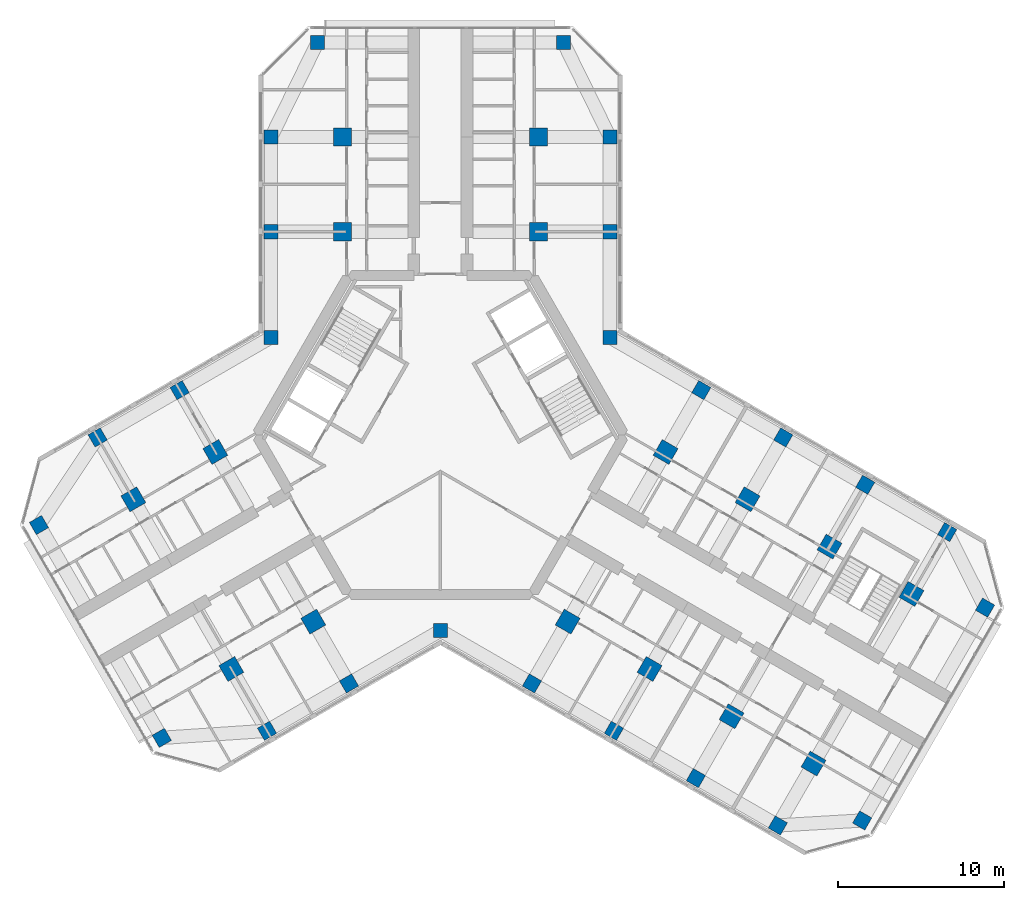
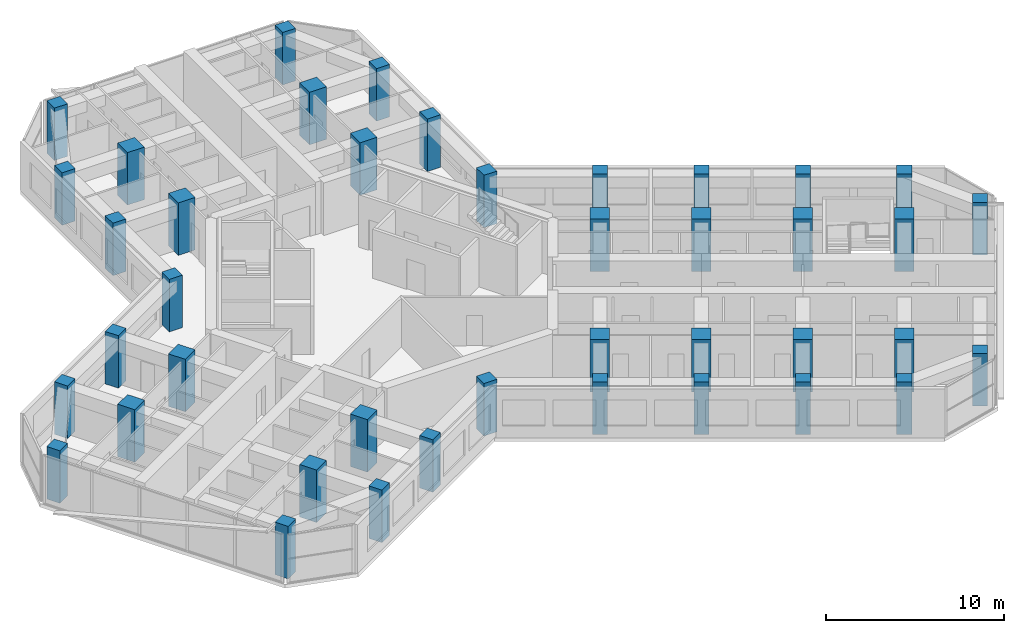
# One storey, part 1 of 16: 41 columns.
"""IFC4 building model written with IfcOpenShell, lengths in metres."""

import ifcopenshell
import ifcopenshell.guid

model = None  # the IFC model being written
_history = None  # IfcOwnerHistory: only IFC2X3 demands one
_inside = {}  # id of a spatial element -> (the spatial element, [elements in it])
_under = {}  # id of a project, library or spatial element -> (it, [spatial elements below it])
_declared = {}  # id of a project -> (the project, [libraries it declares])
_typed = {}  # id of a type object -> (the type object, [elements of that type])
_made_of = {}  # id of a material, layer set ... -> (it, [elements and type objects made of it])


def new_model(schema):
    """Start an empty IFC model of exactly this schema.

    Asked for "IFC4X3", IfcOpenShell would pick the latest addendum, in which some entities
    have other attributes; the version numbers below select the first issue.
    IFC2X3 requires an IfcOwnerHistory on every rooted entity: one is made here for all.
    """
    global model, _history
    if schema == "IFC4X3":
        model = ifcopenshell.file(schema_version=(4, 3, 0, 0))
    else:
        model = ifcopenshell.file(schema=schema)
    _inside.clear()
    _under.clear()
    _declared.clear()
    _typed.clear()
    _made_of.clear()
    _history = None
    if model.schema == "IFC2X3":
        org = make("IfcOrganization", Name="unknown")
        user = make(
            "IfcPersonAndOrganization",
            ThePerson=make("IfcPerson", FamilyName="unknown"),
            TheOrganization=org,
        )
        app = make(
            "IfcApplication",
            ApplicationDeveloper=org,
            Version="unknown",
            ApplicationFullName="unknown",
            ApplicationIdentifier="unknown",
        )
        _history = make(
            "IfcOwnerHistory",
            OwningUser=user,
            OwningApplication=app,
            ChangeAction="ADDED",
            CreationDate=0,
        )
    return model


def make(cls, **values):
    """One entity of the class cls with the attributes given. An attribute that is None is left unset."""
    return model.create_entity(
        cls, **{name: value for name, value in values.items() if value is not None}
    )


def rooted(cls, **values):
    """An entity with a GlobalId (a new one), such as an element, a storey or a relation."""
    return make(cls, GlobalId=ifcopenshell.guid.new(), OwnerHistory=_history, **values)


def si_unit(unit_type, name, prefix=None):
    """IfcSIUnit, for example si_unit("LENGTHUNIT", "METRE", prefix="MILLI")."""
    return make("IfcSIUnit", UnitType=unit_type, Prefix=prefix, Name=name)


def assignment(units):
    """IfcUnitAssignment: the units of a project."""
    return None if units is None else make("IfcUnitAssignment", Units=units)


def point(xyz):
    """IfcCartesianPoint."""
    return None if xyz is None else make("IfcCartesianPoint", Coordinates=xyz)


def direction(xyz):
    """IfcDirection."""
    return None if xyz is None else make("IfcDirection", DirectionRatios=xyz)


def frame(location, z_axis=None, x_axis=None):
    """IfcAxis2Placement3D, a coordinate frame: its origin and axes. An axis left out is left unset."""
    return make(
        "IfcAxis2Placement3D",
        Location=point(location),
        Axis=direction(z_axis),
        RefDirection=direction(x_axis),
    )


def frame_2d(location, x_axis=None):
    """IfcAxis2Placement2D, a coordinate frame in the plane: its origin and x axis."""
    return make(
        "IfcAxis2Placement2D", Location=point(location), RefDirection=direction(x_axis)
    )


def origin():
    """The frame at (0, 0, 0) with its axes left unset."""
    return frame((0.0, 0.0, 0.0))


def origin_2d():
    """The frame at (0, 0) in the plane with its x axis left unset."""
    return frame_2d((0.0, 0.0))


def place(relative_to, where):
    """IfcLocalPlacement: puts the frame where relative to a parent placement (None: the world)."""
    return make(
        "IfcLocalPlacement", PlacementRelTo=relative_to, RelativePlacement=where
    )


def context(
    kind, dimensions, precision=None, world=None, true_north=None, identifier=None
):
    """IfcGeometricRepresentationContext, for example the 3D "Model" context."""
    return make(
        "IfcGeometricRepresentationContext",
        ContextIdentifier=identifier,
        ContextType=kind,
        CoordinateSpaceDimension=dimensions,
        Precision=precision,
        WorldCoordinateSystem=world,
        TrueNorth=true_north,
    )


def subcontext(parent, identifier, kind, view, scale=None):
    """IfcGeometricRepresentationSubContext, for example "Body" below "Model"."""
    return make(
        "IfcGeometricRepresentationSubContext",
        ContextIdentifier=identifier,
        ContextType=kind,
        ParentContext=parent,
        TargetScale=scale,
        TargetView=view,
    )


def project(units=None, contexts=None):
    """IfcProject with its units and contexts."""
    return rooted(
        "IfcProject",
        Name="project",
        RepresentationContexts=contexts,
        UnitsInContext=assignment(units),
    )


def spatial(cls, under=None, at=None, **own):
    """A site, building, storey or space (cls), placed at a placement, below another one or the project."""
    s = rooted(cls, ObjectPlacement=at, **own)
    if under is not None:
        _under.setdefault(under.id(), (under, []))[1].append(s)
    return s


def profile(cls, at=None, kind="AREA", **sizes):
    """A parametric profile (cls). Its sizes go by their IFC names, for example OverallWidth=200.0."""
    return make(cls, ProfileType=kind, Position=at, **sizes)


def rectangle(**sizes):
    """IfcRectangleProfileDef."""
    return profile("IfcRectangleProfileDef", **sizes)


def extrude(swept, where, along, depth):
    """IfcExtrudedAreaSolid: the profile swept, set in the frame where, extruded along a direction by depth."""
    return make(
        "IfcExtrudedAreaSolid",
        SweptArea=swept,
        Position=where,
        ExtrudedDirection=direction(along),
        Depth=depth,
    )


def shape(context_of_items, identifier, shape_type, items):
    """IfcShapeRepresentation: the items that make up one representation, for example the "Body"."""
    return make(
        "IfcShapeRepresentation",
        ContextOfItems=context_of_items,
        RepresentationIdentifier=identifier,
        RepresentationType=shape_type,
        Items=items,
    )


def material(Name=None, Category=None):
    """IfcMaterial."""
    return make("IfcMaterial", Name=Name, Category=Category)


def material_profile(
    of_material, cross_section, Name=None, Category=None, Priority=None
):
    """IfcMaterialProfile: a cross section and its material."""
    return make(
        "IfcMaterialProfile",
        Name=Name,
        Material=of_material,
        Profile=cross_section,
        Priority=Priority,
        Category=Category,
    )


def profile_set(profiles, Name=None, composite=None):
    """IfcMaterialProfileSet."""
    return make(
        "IfcMaterialProfileSet",
        Name=Name,
        MaterialProfiles=profiles,
        CompositeProfile=composite,
    )


def made_of(thing, what):
    """Note that an element or type object is made of a material, layer set ...; save() writes the relation."""
    if what is not None:
        _made_of.setdefault(what.id(), (what, []))[1].append(thing)
    return thing


def type_object(cls, material=None, **own):
    """A type object (cls), such as IfcWallType, which elements share."""
    return made_of(rooted(cls, **own), material)


def element(
    cls,
    number,
    at=None,
    inside=None,
    cuts=None,
    type_object=None,
    material=None,
    context=None,
    identifier="Body",
    shape_type=None,
    held_by="IfcProductDefinitionShape",
    body=None,
    shapes=None,
    **own,
):
    """One element of the class cls, such as IfcWall. Its Tag is "e" and its number.

    at: its placement. inside: the storey or other place that contains it. cuts: it is an
    opening in that element (IfcRelVoidsElement). A single representation is given by context,
    identifier, shape_type and body (its items); several are given by shapes. held_by: the class
    of the entity that holds the representations. save() writes the other relations.
    """
    e = rooted(cls, Tag="e%d" % number, ObjectPlacement=at, **own)
    if body is not None:
        shapes = [shape(context, identifier, shape_type, body)]
    if shapes is not None:
        e.Representation = make(held_by, Representations=shapes)
    if inside is not None:
        _inside.setdefault(inside.id(), (inside, []))[1].append(e)
    if cuts is not None:
        rooted(
            "IfcRelVoidsElement", RelatingBuildingElement=cuts, RelatedOpeningElement=e
        )
    if type_object is not None:
        _typed.setdefault(type_object.id(), (type_object, []))[1].append(e)
    return made_of(e, material)


def aggregate(whole, parts):
    """IfcRelAggregates: a whole, such as a stair, and the parts it consists of."""
    return rooted("IfcRelAggregates", RelatingObject=whole, RelatedObjects=parts)


def save(model, path):
    """Write the relations noted so far, then the file.

    IfcRelAggregates (storeys below a building ...), IfcRelContainedInSpatialStructure (elements
    in a storey), IfcRelDefinesByType, IfcRelAssociatesMaterial and IfcRelDeclares: one each for
    every whole, place, type object, material and project.
    """
    for whole, parts in _under.values():
        aggregate(whole, parts)
    for where, things in _inside.values():
        rooted(
            "IfcRelContainedInSpatialStructure",
            RelatedElements=things,
            RelatingStructure=where,
        )
    for kind, things in _typed.values():
        rooted("IfcRelDefinesByType", RelatedObjects=things, RelatingType=kind)
    for what, things in _made_of.values():
        rooted("IfcRelAssociatesMaterial", RelatedObjects=things, RelatingMaterial=what)
    for by, libraries in _declared.values():
        rooted("IfcRelDeclares", RelatingContext=by, RelatedDefinitions=libraries)
    model.write(path)


model = new_model("IFC4")

# Units and contexts
model_context = context("Model", 3, precision=1e-05, world=origin(), true_north=direction((0.0, 1.0)))
body_context = subcontext(model_context, "Body", "Model", "MODEL_VIEW")
ifc_project = project(units=[si_unit("LENGTHUNIT", "METRE"), si_unit("AREAUNIT", "SQUARE_METRE"), si_unit("VOLUMEUNIT", "CUBIC_METRE"), si_unit("PLANEANGLEUNIT", "RADIAN"), si_unit("MASSUNIT", "GRAM", prefix="KILO")], contexts=[model_context])

# Site, building, storey
site_placement = place(None, origin())
site = spatial("IfcSite", under=ifc_project, at=site_placement, CompositionType="ELEMENT")
building_placement = place(site_placement, origin())
building = spatial("IfcBuilding", under=site, at=building_placement, Name="Kosmar Iwan School Tower", CompositionType="ELEMENT")
storey_placement = place(building_placement, frame((0.0, 0.0, 231.60009765625)))
storey = spatial("IfcBuildingStorey", under=building, at=storey_placement, Name="L58", CompositionType="ELEMENT", Elevation=231.60009765625)

# Columns
ifc_material_1 = material(Name="Concrete C50/60", Category="concrete")
ifc_material_profile_1 = material_profile(ifc_material_1, rectangle(XDim=0.85009765625, YDim=0.85009765625, at=origin_2d()), Name="RC 850x850 + HD 400x347")
ifc_profile_set_1 = profile_set([ifc_material_profile_1], Name="Concrete C50/60")
column_type_1 = type_object("IfcColumnType", Name="Composite column 850x850 HD 400x347", PredefinedType="COLUMN", material=ifc_profile_set_1)
for number, where, z_axis, x_axis, name in (
    (1, (-10.199951171875, 12.25, 0.0), (0.0, 0.0, 1.0), (0.0, 1.0, 0.0), "Column AL1 L58"),
    (2, (-10.199951171875, 17.949951171875, 0.0), (0.0, 0.0, 1.0), (0.0, 1.0, 0.0), "Column AL2 L58"),
    (3, (-7.39990234375, 23.64990234375, 0.0), (0.0, 0.0, 1.0), (0.0, 1.0, 0.0), "Column ALTIP L58"),
    (4, (10.199951171875, 12.25, 0.0), (0.0, 0.0, 1.0), (0.0, 1.0, 0.0), "Column AR1 L58"),
    (5, (10.199951171875, 17.949951171875, 0.0), (0.0, 0.0, 1.0), (0.0, 1.0, 0.0), "Column AR2 L58"),
    (6, (7.39990234375, 23.64990234375, 0.0), (0.0, 0.0, 1.0), (0.0, 1.0, 0.0), "Column ARTIP L58"),
    (7, (-5.5087890625, -14.95849609375, 0.0), (0.0, 0.0, 1.0), (-0.866025403784, -0.5, 0.0), "Column BL1 L58"),
    (8, (-10.445068359375, -17.808349609375, 0.0), (0.0, 0.0, 1.0), (-0.866025403784, -0.5, 0.0), "Column BL2 L58"),
    (9, (-16.781494140625, -18.233642578125, 0.0), (0.0, 0.0, 1.0), (-0.866025403784, -0.5, 0.0), "Column BLTIP L58"),
    (10, (-15.708740234375, 2.70849609375, 0.0), (0.0, 0.0, 1.0), (-0.866025403784, -0.5, 0.0), "Column BR1 L58"),
    (11, (-20.645263671875, -0.1416015625, 0.0), (0.0, 0.0, 1.0), (-0.866025403784, -0.5, 0.0), "Column BR2 L58"),
    (12, (-24.181396484375, -5.41650390625, 0.0), (0.0, 0.0, 1.0), (-0.866025403784, -0.5, 0.0), "Column BRTIP L58"),
    (13, (15.708740234375, 2.70849609375, 0.0), (0.0, 0.0, 1.0), (0.866025403784, -0.5, 0.0), "Column CL1 L58"),
    (14, (20.645263671875, -0.1416015625, 0.0), (0.0, 0.0, 1.0), (0.866025403784, -0.5, 0.0), "Column CL2 L58"),
    (15, (25.58154296875, -2.991455078125, 0.0), (0.0, 0.0, 1.0), (0.866025403784, -0.5, 0.0), "Column CL3 L58"),
    (16, (30.517822265625, -5.841552734375, 0.0), (0.0, 0.0, 1.0), (0.866025403784, -0.5, 0.0), "Column CL4 L58"),
    (17, (32.79833984375, -10.391357421875, 0.0), (0.0, 0.0, 1.0), (0.866025403784, -0.5, 0.0), "Column CLTIP L58"),
    (18, (5.5087890625, -14.95849609375, 0.0), (0.0, 0.0, 1.0), (0.866025403784, -0.5, 0.0), "Column CR1 L58"),
    (19, (10.445068359375, -17.808349609375, 0.0), (0.0, 0.0, 1.0), (0.866025403784, -0.5, 0.0), "Column CR2 L58"),
    (20, (15.381591796875, -20.658447265625, 0.0), (0.0, 0.0, 1.0), (0.866025403784, -0.5, 0.0), "Column CR3 L58"),
    (21, (20.31787109375, -23.508544921875, 0.0), (0.0, 0.0, 1.0), (0.866025403784, -0.5, 0.0), "Column CR4 L58"),
    (22, (25.3984375, -23.20849609375, 0.0), (0.0, 0.0, 1.0), (0.866025403784, -0.5, 0.0), "Column CRTIP L58"),
    (23, (-10.199951171875, 5.888916015625, 0.0), (0.0, 0.0, 1.0), (1.0, 0.0, 0.0), "Column RAB L58"),
    (24, (10.199951171875, 5.888916015625, 0.0), (0.0, 0.0, 1.0), (1.0, 0.0, 0.0), "Column RAC L58"),
    (25, (0.0, -11.77783203125, 0.0), (0.0, 0.0, 1.0), (1.0, 0.0, 0.0), "Column RBC L58"),
):
    element("IfcColumn", number, at=place(storey_placement, frame(where, z_axis=z_axis, x_axis=x_axis)), inside=storey, type_object=column_type_1, Name=name, PredefinedType="COLUMN", context=body_context, shape_type="SweptSolid", body=[
        extrude(rectangle(XDim=0.85009765625, YDim=0.85009765625, at=origin_2d()), origin(), (0.0, 0.0, 1.0), 3.599853515625),
    ])
ifc_material_2 = material(Name="Concrete C50/60", Category="concrete")
ifc_material_profile_2 = material_profile(ifc_material_2, rectangle(XDim=1.10009765625, YDim=1.10009765625, at=origin_2d()), Name="RC 1100x1100")
ifc_profile_set_2 = profile_set([ifc_material_profile_2], Name="Concrete C50/60")
column_type_2 = type_object("IfcColumnType", Name="RC interior column 1100x1100", PredefinedType="COLUMN", material=ifc_profile_set_2)
for number, where, z_axis, x_axis, name in (
    (26, (-5.89990234375, 12.25, 0.0), (0.0, 0.0, 1.0), (0.0, 1.0, 0.0), "Interior column ALI1 L58"),
    (27, (-5.89990234375, 17.949951171875, 0.0), (0.0, 0.0, 1.0), (0.0, 1.0, 0.0), "Interior column ALI2 L58"),
    (28, (5.89990234375, 12.25, 0.0), (0.0, 0.0, 1.0), (0.0, 1.0, 0.0), "Interior column ARI1 L58"),
    (29, (5.89990234375, 17.949951171875, 0.0), (0.0, 0.0, 1.0), (0.0, 1.0, 0.0), "Interior column ARI2 L58"),
    (30, (-7.65869140625, -11.234619140625, 0.0), (0.0, 0.0, 1.0), (-0.866025403784, -0.5, 0.0), "Interior column BLI1 L58"),
    (31, (-12.59521484375, -14.08447265625, 0.0), (0.0, 0.0, 1.0), (-0.866025403784, -0.5, 0.0), "Interior column BLI2 L58"),
    (32, (-13.558837890625, -1.015380859375, 0.0), (0.0, 0.0, 1.0), (-0.866025403784, -0.5, 0.0), "Interior column BRI1 L58"),
    (33, (-18.4951171875, -3.865478515625, 0.0), (0.0, 0.0, 1.0), (-0.866025403784, -0.5, 0.0), "Interior column BRI2 L58"),
    (34, (13.558837890625, -1.015380859375, 0.0), (0.0, 0.0, 1.0), (0.866025403784, -0.5, 0.0), "Interior column CLI1 L58"),
    (35, (18.4951171875, -3.865478515625, 0.0), (0.0, 0.0, 1.0), (0.866025403784, -0.5, 0.0), "Interior column CLI2 L58"),
    (36, (23.431396484375, -6.71533203125, 0.0), (0.0, 0.0, 1.0), (0.866025403784, -0.5, 0.0), "Interior column CLI3 L58"),
    (37, (28.367919921875, -9.5654296875, 0.0), (0.0, 0.0, 1.0), (0.866025403784, -0.5, 0.0), "Interior column CLI4 L58"),
    (38, (7.65869140625, -11.234619140625, 0.0), (0.0, 0.0, 1.0), (0.866025403784, -0.5, 0.0), "Interior column CRI1 L58"),
    (39, (12.59521484375, -14.08447265625, 0.0), (0.0, 0.0, 1.0), (0.866025403784, -0.5, 0.0), "Interior column CRI2 L58"),
    (40, (17.531494140625, -16.9345703125, 0.0), (0.0, 0.0, 1.0), (0.866025403784, -0.5, 0.0), "Interior column CRI3 L58"),
    (41, (22.4677734375, -19.78466796875, 0.0), (0.0, 0.0, 1.0), (0.866025403784, -0.5, 0.0), "Interior column CRI4 L58"),
):
    element("IfcColumn", number, at=place(storey_placement, frame(where, z_axis=z_axis, x_axis=x_axis)), inside=storey, type_object=column_type_2, Name=name, PredefinedType="COLUMN", context=body_context, shape_type="SweptSolid", body=[
        extrude(rectangle(XDim=1.10009765625, YDim=1.10009765625, at=origin_2d()), origin(), (0.0, 0.0, 1.0), 3.599853515625),
    ])

save(model, "model.ifc")
